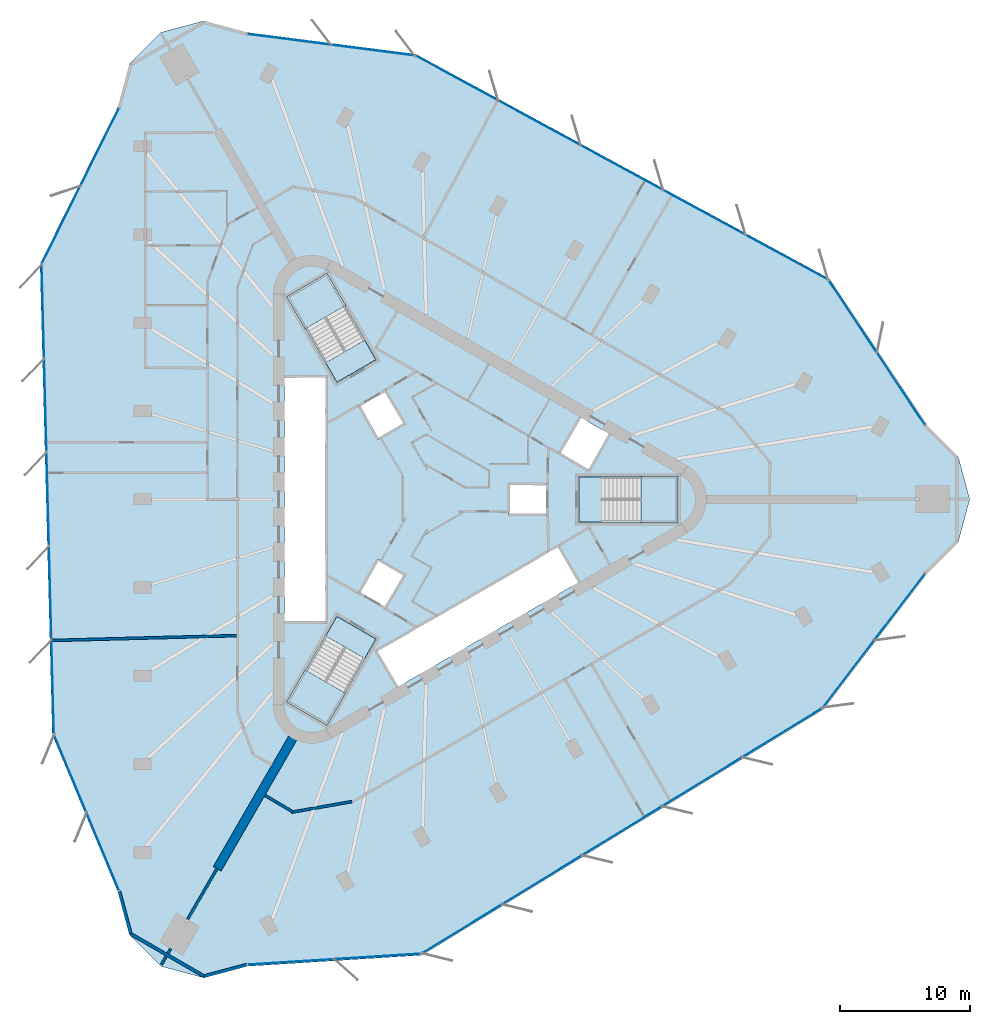
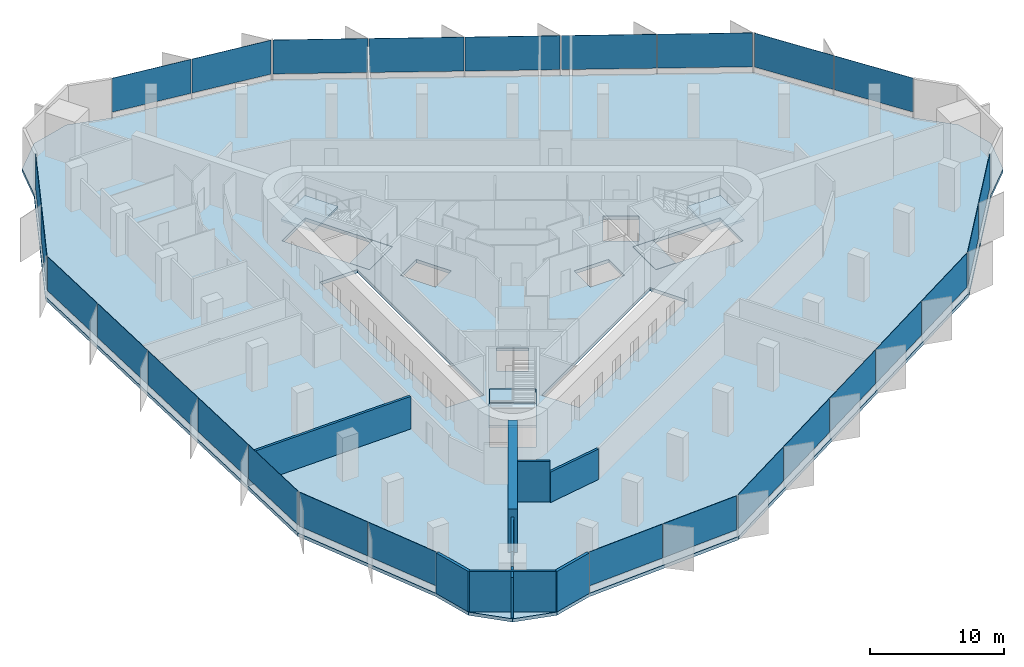
# One storey, part 7 of 14: 27 plates, 10 walls, 7 slabs, 12 elements without a shape of their own.
"""IFC4 building model written with IfcOpenShell, lengths in metres."""

from ifc_helpers import new_model, si_unit, direction, frame, frame_2d, origin, origin_2d, place, context, subcontext, project, spatial, polyline, rectangle, outline, extrude, material, layer, layer_set, type_object, element, aggregate, save


model = new_model("IFC4")

# Units and contexts
model_context = context("Model", 3, precision=1e-05, world=origin(), true_north=direction((0.0, 1.0)))
body_context = subcontext(model_context, "Body", "Model", "MODEL_VIEW")
ifc_project = project(units=[si_unit("LENGTHUNIT", "METRE"), si_unit("AREAUNIT", "SQUARE_METRE"), si_unit("VOLUMEUNIT", "CUBIC_METRE"), si_unit("PLANEANGLEUNIT", "RADIAN"), si_unit("MASSUNIT", "GRAM", prefix="KILO")], contexts=[model_context])

# Site, building, storey
site_placement = place(None, origin())
site = spatial("IfcSite", under=ifc_project, at=site_placement, CompositionType="ELEMENT")
building_placement = place(site_placement, origin())
building = spatial("IfcBuilding", under=site, at=building_placement, Name="Tanit Gate Tower", CompositionType="ELEMENT")
storey_placement = place(building_placement, frame((0.0, 0.0, 217.199951171875)))
storey = spatial("IfcBuildingStorey", under=building, at=storey_placement, Name="L48", CompositionType="ELEMENT", Elevation=217.199951171875)

# Slab
ifc_material_1 = material(Name="Concrete C35/45", Category="concrete")
ifc_layer_1 = layer(ifc_material_1, 0.300048828125)
ifc_layer_set_1 = layer_set([ifc_layer_1], Name="FLOOR SLAB 300 C35/45")
slab_type_1 = type_object("IfcSlabType", Name="FLOOR SLAB 300 C35/45", PredefinedType="FLOOR", material=ifc_layer_set_1)
slab_1_placement = place(storey_placement, frame((0.0, 0.0, -0.300048828125)))
element("IfcSlab", 1, at=slab_1_placement, inside=storey, type_object=slab_type_1, Name="FLOOR SLAB L48", PredefinedType="FLOOR", context=body_context, shape_type="SweptSolid", body=[
    extrude(outline(polyline([(38.059814453125, 5.72509765625), (40.4794921875, 3.305419921875), (41.365234375, 0.0), (40.4794921875, -3.305419921875), (38.059814453125, -5.72509765625), (30.148193359375, -16.10009765625), (-0.66015625, -34.974609375), (-14.07177734375, -35.823486328125), (-17.377197265625, -36.708984375), (-20.6826171875, -35.823486328125), (-23.102294921875, -33.40380859375), (-23.988037109375, -30.098388671875), (-29.017333984375, -18.05908203125), (-29.958984375, 18.05908203125), (-23.988037109375, 30.098388671875), (-23.102294921875, 33.40380859375), (-20.6826171875, 35.823486328125), (-17.377197265625, 36.708984375), (-14.07177734375, 35.823486328125), (-1.130859375, 34.1591796875), (30.618896484375, 16.915771484375), (38.059814453125, 5.72509765625)]), holes=[polyline([(11.3701171875, 1.72998046875), (18.929931640625, 1.72998046875), (18.929931640625, -1.72998046875), (11.3701171875, -1.72998046875), (11.3701171875, 1.72998046875)]), polyline([(9.82080078125, 3.510009765625), (11.44580078125, 6.324462890625), (13.783935546875, 4.974609375), (12.158935546875, 2.159912109375), (9.82080078125, 3.510009765625)]), polyline([(-4.208984375, -11.60986328125), (9.82080078125, -3.510009765625), (11.44580078125, -6.324462890625), (-2.583984375, -14.424560546875), (-4.208984375, -11.60986328125)]), polyline([(6.0, 1.199951171875), (9.0, 1.199951171875), (9.0, -1.199951171875), (6.0, -1.199951171875), (6.0, 1.199951171875)]), polyline([(-5.539306640625, 7.194091796875), (-3.460693359375, 8.394287109375), (-1.960693359375, 5.796142578125), (-4.039306640625, 4.59619140625), (-5.539306640625, 7.194091796875)]), polyline([(-1.960693359375, -5.796142578125), (-3.460693359375, -8.394287109375), (-5.539306640625, -7.194091796875), (-4.039306640625, -4.59619140625), (-1.960693359375, -5.796142578125)]), polyline([(-10.963134765625, 15.52880859375), (-7.966796875, 17.2587890625), (-4.186767578125, 10.711669921875), (-7.18310546875, 8.981689453125), (-10.963134765625, 15.52880859375)]), polyline([(-4.186767578125, -10.711669921875), (-7.966796875, -17.2587890625), (-10.963134765625, -15.52880859375), (-7.18310546875, -8.981689453125), (-4.186767578125, -10.711669921875)]), polyline([(-11.199951171875, -9.449951171875), (-11.199951171875, 9.449951171875), (-7.949951171875, 9.449951171875), (-7.949951171875, -9.449951171875), (-11.199951171875, -9.449951171875)])]), origin(), (0.0, 0.0, 1.0), 0.300048828125),
])

# Curtain wall, plates
ifc_material_2 = material(Name="Aluminium bronze anodised and glass", Category="aluminium")
curtain_wall_type = type_object("IfcCurtainWallType", Name="Curtain wall typical mid", PredefinedType="NOTDEFINED", material=ifc_material_2)
curtain_wall_1_placement = place(storey_placement, origin())
curtain_wall_1 = element("IfcCurtainWall", 2, at=curtain_wall_1_placement, inside=storey, type_object=curtain_wall_type, Name="Curtain wall L48 NE1", PredefinedType="NOTDEFINED")
ifc_material_3 = material(Name="Glass tinted", Category="glass")
ifc_layer_2 = layer(ifc_material_3, 0.030029296875)
ifc_layer_set_2 = layer_set([ifc_layer_2], Name="Glass panel 30 typical mid")
plate_type = type_object("IfcPlateType", Name="Glass panel 30 typical mid", PredefinedType="CURTAIN_PANEL", material=ifc_layer_set_2)
plate_1_placement = place(storey_placement, frame((36.09765625, 8.459228515625, 0.60009765625), z_axis=(0.0, 0.0, 1.0), x_axis=(-0.553699143506, 0.832716793682, 0.0)))
plate_1 = element("IfcPlate", 3, at=plate_1_placement, type_object=plate_type, Name="Glass panel L48 NE1.1", PredefinedType="CURTAIN_PANEL", context=body_context, shape_type="SweptSolid", body=[
    extrude(rectangle(XDim=6.59033203125, YDim=0.030029296875, at=origin_2d()), origin(), (0.0, 0.0, 1.0), 3.10009765625),
])
plate_2_placement = place(storey_placement, frame((32.404296875, 14.013916015625, 0.60009765625), z_axis=(0.0, 0.0, 1.0), x_axis=(-0.553699143506, 0.832716793682, 0.0)))
plate_2 = element("IfcPlate", 4, at=plate_2_placement, type_object=plate_type, Name="Glass panel L48 NE1.2", PredefinedType="CURTAIN_PANEL", context=body_context, shape_type="SweptSolid", body=[
    extrude(rectangle(XDim=6.59033203125, YDim=0.030029296875, at=origin_2d()), origin(), (0.0, 0.0, 1.0), 3.10009765625),
])
aggregate(curtain_wall_1, [plate_1, plate_2])

curtain_wall_2_placement = place(storey_placement, origin())
curtain_wall_2 = element("IfcCurtainWall", 5, at=curtain_wall_2_placement, inside=storey, type_object=curtain_wall_type, Name="Curtain wall L48 NE2", PredefinedType="NOTDEFINED")
plate_3_placement = place(storey_placement, frame((27.3369140625, 18.5615234375, 0.60009765625), z_axis=(0.0, 0.0, 1.0), x_axis=(-0.878762487631, 0.477259353321, 0.0)))
plate_3 = element("IfcPlate", 6, at=plate_3_placement, type_object=plate_type, Name="Glass panel L48 NE2.1", PredefinedType="CURTAIN_PANEL", context=body_context, shape_type="SweptSolid", body=[
    extrude(rectangle(XDim=7.11962890625, YDim=0.030029296875, at=origin_2d()), origin(), (0.0, 0.0, 1.0), 3.10009765625),
])
plate_4_placement = place(storey_placement, frame((21.01025390625, 21.99755859375, 0.60009765625), z_axis=(0.0, 0.0, 1.0), x_axis=(-0.878762487631, 0.477259353321, 0.0)))
plate_4 = element("IfcPlate", 7, at=plate_4_placement, type_object=plate_type, Name="Glass panel L48 NE2.2", PredefinedType="CURTAIN_PANEL", context=body_context, shape_type="SweptSolid", body=[
    extrude(rectangle(XDim=7.11962890625, YDim=0.030029296875, at=origin_2d()), origin(), (0.0, 0.0, 1.0), 3.10009765625),
])
plate_5_placement = place(storey_placement, frame((14.68359375, 25.433837890625, 0.60009765625), z_axis=(0.0, 0.0, 1.0), x_axis=(-0.878762487631, 0.477259353321, 0.0)))
plate_5 = element("IfcPlate", 8, at=plate_5_placement, type_object=plate_type, Name="Glass panel L48 NE2.3", PredefinedType="CURTAIN_PANEL", context=body_context, shape_type="SweptSolid", body=[
    extrude(rectangle(XDim=7.11962890625, YDim=0.030029296875, at=origin_2d()), origin(), (0.0, 0.0, 1.0), 3.10009765625),
])
plate_6_placement = place(storey_placement, frame((8.356689453125, 28.869873046875, 0.60009765625), z_axis=(0.0, 0.0, 1.0), x_axis=(-0.878762487631, 0.477259353321, 0.0)))
plate_6 = element("IfcPlate", 9, at=plate_6_placement, type_object=plate_type, Name="Glass panel L48 NE2.4", PredefinedType="CURTAIN_PANEL", context=body_context, shape_type="SweptSolid", body=[
    extrude(rectangle(XDim=7.11962890625, YDim=0.030029296875, at=origin_2d()), origin(), (0.0, 0.0, 1.0), 3.10009765625),
])
plate_7_placement = place(storey_placement, frame((2.030029296875, 32.305908203125, 0.60009765625), z_axis=(0.0, 0.0, 1.0), x_axis=(-0.878762487631, 0.477259353321, 0.0)))
plate_7 = element("IfcPlate", 10, at=plate_7_placement, type_object=plate_type, Name="Glass panel L48 NE2.5", PredefinedType="CURTAIN_PANEL", context=body_context, shape_type="SweptSolid", body=[
    extrude(rectangle(XDim=7.11962890625, YDim=0.030029296875, at=origin_2d()), origin(), (0.0, 0.0, 1.0), 3.10009765625),
])
aggregate(curtain_wall_2, [plate_3, plate_4, plate_5, plate_6, plate_7])

curtain_wall_3_placement = place(storey_placement, origin())
curtain_wall_3 = element("IfcCurtainWall", 11, at=curtain_wall_3_placement, inside=storey, type_object=curtain_wall_type, Name="Curtain wall L48 NE3", PredefinedType="NOTDEFINED")
plate_8_placement = place(storey_placement, frame((-4.419921875, 34.461181640625, 0.60009765625), z_axis=(0.0, 0.0, 1.0), x_axis=(-0.991831679282, 0.127553596472, 0.0)))
plate_8 = element("IfcPlate", 12, at=plate_8_placement, type_object=plate_type, Name="Glass panel L48 NE3.1", PredefinedType="CURTAIN_PANEL", context=body_context, shape_type="SweptSolid", body=[
    extrude(rectangle(XDim=6.396484375, YDim=0.030029296875, at=origin_2d()), origin(), (0.0, 0.0, 1.0), 3.10009765625),
])
plate_9_placement = place(storey_placement, frame((-10.843505859375, 35.287353515625, 0.60009765625), z_axis=(0.0, 0.0, 1.0), x_axis=(-0.991831679282, 0.127553596472, 0.0)))
plate_9 = element("IfcPlate", 13, at=plate_9_placement, type_object=plate_type, Name="Glass panel L48 NE3.2", PredefinedType="CURTAIN_PANEL", context=body_context, shape_type="SweptSolid", body=[
    extrude(rectangle(XDim=6.396484375, YDim=0.030029296875, at=origin_2d()), origin(), (0.0, 0.0, 1.0), 3.10009765625),
])
aggregate(curtain_wall_3, [plate_8, plate_9])

curtain_wall_4_placement = place(storey_placement, origin())
curtain_wall_4 = element("IfcCurtainWall", 14, at=curtain_wall_4_placement, inside=storey, type_object=curtain_wall_type, Name="Curtain wall L48 W1", PredefinedType="NOTDEFINED")
plate_10_placement = place(storey_placement, frame((-25.375, 27.031982421875, 0.60009765625), z_axis=(0.0, 0.0, 1.0), x_axis=(-0.444304325734, -0.895875921171, 0.0)))
plate_10 = element("IfcPlate", 15, at=plate_10_placement, type_object=plate_type, Name="Glass panel L48 W1.1", PredefinedType="CURTAIN_PANEL", context=body_context, shape_type="SweptSolid", body=[
    extrude(rectangle(XDim=6.59033203125, YDim=0.030029296875, at=origin_2d()), origin(), (0.0, 0.0, 1.0), 3.10009765625),
])
plate_11_placement = place(storey_placement, frame((-28.338623046875, 21.05615234375, 0.60009765625), z_axis=(0.0, 0.0, 1.0), x_axis=(-0.444304325734, -0.895875921171, 0.0)))
plate_11 = element("IfcPlate", 16, at=plate_11_placement, type_object=plate_type, Name="Glass panel L48 W1.2", PredefinedType="CURTAIN_PANEL", context=body_context, shape_type="SweptSolid", body=[
    extrude(rectangle(XDim=6.59033203125, YDim=0.030029296875, at=origin_2d()), origin(), (0.0, 0.0, 1.0), 3.10009765625),
])
aggregate(curtain_wall_4, [plate_10, plate_11])

curtain_wall_5_placement = place(storey_placement, origin())
curtain_wall_5 = element("IfcCurtainWall", 17, at=curtain_wall_5_placement, inside=storey, type_object=curtain_wall_type, Name="Curtain wall L48 W2", PredefinedType="NOTDEFINED")
plate_12_placement = place(storey_placement, frame((-29.743408203125, 14.393798828125, 0.60009765625), z_axis=(0.0, 0.0, 1.0), x_axis=(0.026062519646, -0.999660314842, 0.0)))
plate_12 = element("IfcPlate", 18, at=plate_12_placement, type_object=plate_type, Name="Glass panel L48 W2.1", PredefinedType="CURTAIN_PANEL", context=body_context, shape_type="SweptSolid", body=[
    extrude(rectangle(XDim=7.11962890625, YDim=0.030029296875, at=origin_2d()), origin(), (0.0, 0.0, 1.0), 3.10009765625),
])
plate_13_placement = place(storey_placement, frame((-29.5556640625, 7.196533203125, 0.60009765625), z_axis=(0.0, 0.0, 1.0), x_axis=(0.026062519646, -0.999660314842, 0.0)))
plate_13 = element("IfcPlate", 19, at=plate_13_placement, type_object=plate_type, Name="Glass panel L48 W2.2", PredefinedType="CURTAIN_PANEL", context=body_context, shape_type="SweptSolid", body=[
    extrude(rectangle(XDim=7.11962890625, YDim=0.030029296875, at=origin_2d()), origin(), (0.0, 0.0, 1.0), 3.10009765625),
])
plate_14_placement = place(storey_placement, frame((-29.367919921875, -0.00048828125, 0.60009765625), z_axis=(0.0, 0.0, 1.0), x_axis=(0.026062519646, -0.999660314842, 0.0)))
plate_14 = element("IfcPlate", 20, at=plate_14_placement, type_object=plate_type, Name="Glass panel L48 W2.3", PredefinedType="CURTAIN_PANEL", context=body_context, shape_type="SweptSolid", body=[
    extrude(rectangle(XDim=7.11962890625, YDim=0.030029296875, at=origin_2d()), origin(), (0.0, 0.0, 1.0), 3.10009765625),
])
plate_15_placement = place(storey_placement, frame((-29.180419921875, -7.19775390625, 0.60009765625), z_axis=(0.0, 0.0, 1.0), x_axis=(0.026062519646, -0.999660314842, 0.0)))
plate_15 = element("IfcPlate", 21, at=plate_15_placement, type_object=plate_type, Name="Glass panel L48 W2.4", PredefinedType="CURTAIN_PANEL", context=body_context, shape_type="SweptSolid", body=[
    extrude(rectangle(XDim=7.11962890625, YDim=0.030029296875, at=origin_2d()), origin(), (0.0, 0.0, 1.0), 3.10009765625),
])
plate_16_placement = place(storey_placement, frame((-28.99267578125, -14.394775390625, 0.60009765625), z_axis=(0.0, 0.0, 1.0), x_axis=(0.026062519646, -0.999660314842, 0.0)))
plate_16 = element("IfcPlate", 22, at=plate_16_placement, type_object=plate_type, Name="Glass panel L48 W2.5", PredefinedType="CURTAIN_PANEL", context=body_context, shape_type="SweptSolid", body=[
    extrude(rectangle(XDim=7.11962890625, YDim=0.030029296875, at=origin_2d()), origin(), (0.0, 0.0, 1.0), 3.10009765625),
])
aggregate(curtain_wall_5, [plate_12, plate_13, plate_14, plate_15, plate_16])

curtain_wall_6_placement = place(storey_placement, origin())
curtain_wall_6 = element("IfcCurtainWall", 23, at=curtain_wall_6_placement, inside=storey, type_object=curtain_wall_type, Name="Curtain wall L48 W3", PredefinedType="NOTDEFINED")
plate_17_placement = place(storey_placement, frame((-27.63427734375, -21.058349609375, 0.60009765625), z_axis=(0.0, 0.0, 1.0), x_axis=(0.385451184752, -0.922728228772, 0.0)))
plate_17 = element("IfcPlate", 24, at=plate_17_placement, type_object=plate_type, Name="Glass panel L48 W3.1", PredefinedType="CURTAIN_PANEL", context=body_context, shape_type="SweptSolid", body=[
    extrude(rectangle(XDim=6.396484375, YDim=0.030029296875, at=origin_2d()), origin(), (0.0, 0.0, 1.0), 3.10009765625),
])
plate_18_placement = place(storey_placement, frame((-25.137939453125, -27.034423828125, 0.60009765625), z_axis=(0.0, 0.0, 1.0), x_axis=(0.385451184752, -0.922728228772, 0.0)))
plate_18 = element("IfcPlate", 25, at=plate_18_placement, type_object=plate_type, Name="Glass panel L48 W3.2", PredefinedType="CURTAIN_PANEL", context=body_context, shape_type="SweptSolid", body=[
    extrude(rectangle(XDim=6.396484375, YDim=0.030029296875, at=origin_2d()), origin(), (0.0, 0.0, 1.0), 3.10009765625),
])
aggregate(curtain_wall_6, [plate_17, plate_18])

curtain_wall_7_placement = place(storey_placement, origin())
curtain_wall_7 = element("IfcCurtainWall", 26, at=curtain_wall_7_placement, inside=storey, type_object=curtain_wall_type, Name="Curtain wall L48 SE1", PredefinedType="NOTDEFINED")
plate_19_placement = place(storey_placement, frame((-10.722900390625, -35.4912109375, 0.60009765625), z_axis=(0.0, 0.0, 1.0), x_axis=(0.99800346924, 0.063159127489, 0.0)))
plate_19 = element("IfcPlate", 27, at=plate_19_placement, type_object=plate_type, Name="Glass panel L48 SE1.1", PredefinedType="CURTAIN_PANEL", context=body_context, shape_type="SweptSolid", body=[
    extrude(rectangle(XDim=6.59033203125, YDim=0.030029296875, at=origin_2d()), origin(), (0.0, 0.0, 1.0), 3.10009765625),
])
plate_20_placement = place(storey_placement, frame((-4.065673828125, -35.06982421875, 0.60009765625), z_axis=(0.0, 0.0, 1.0), x_axis=(0.99800346924, 0.063159127489, 0.0)))
plate_20 = element("IfcPlate", 28, at=plate_20_placement, type_object=plate_type, Name="Glass panel L48 SE1.2", PredefinedType="CURTAIN_PANEL", context=body_context, shape_type="SweptSolid", body=[
    extrude(rectangle(XDim=6.59033203125, YDim=0.030029296875, at=origin_2d()), origin(), (0.0, 0.0, 1.0), 3.10009765625),
])
aggregate(curtain_wall_7, [plate_19, plate_20])

curtain_wall_8_placement = place(storey_placement, origin())
curtain_wall_8 = element("IfcCurtainWall", 29, at=curtain_wall_8_placement, inside=storey, type_object=curtain_wall_type, Name="Curtain wall L48 SE2", PredefinedType="NOTDEFINED")
plate_21_placement = place(storey_placement, frame((2.40625, -32.955322265625, 0.60009765625), z_axis=(0.0, 0.0, 1.0), x_axis=(0.852699967985, 0.522400961521, 0.0)))
plate_21 = element("IfcPlate", 30, at=plate_21_placement, type_object=plate_type, Name="Glass panel L48 SE2.1", PredefinedType="CURTAIN_PANEL", context=body_context, shape_type="SweptSolid", body=[
    extrude(rectangle(XDim=7.11962890625, YDim=0.030029296875, at=origin_2d()), origin(), (0.0, 0.0, 1.0), 3.10009765625),
])
plate_22_placement = place(storey_placement, frame((8.54541015625, -29.1943359375, 0.60009765625), z_axis=(0.0, 0.0, 1.0), x_axis=(0.852699967985, 0.522400961521, 0.0)))
plate_22 = element("IfcPlate", 31, at=plate_22_placement, type_object=plate_type, Name="Glass panel L48 SE2.2", PredefinedType="CURTAIN_PANEL", context=body_context, shape_type="SweptSolid", body=[
    extrude(rectangle(XDim=7.11962890625, YDim=0.030029296875, at=origin_2d()), origin(), (0.0, 0.0, 1.0), 3.10009765625),
])
plate_23_placement = place(storey_placement, frame((14.6845703125, -25.43310546875, 0.60009765625), z_axis=(0.0, 0.0, 1.0), x_axis=(0.852699967985, 0.522400961521, 0.0)))
plate_23 = element("IfcPlate", 32, at=plate_23_placement, type_object=plate_type, Name="Glass panel L48 SE2.3", PredefinedType="CURTAIN_PANEL", context=body_context, shape_type="SweptSolid", body=[
    extrude(rectangle(XDim=7.11962890625, YDim=0.030029296875, at=origin_2d()), origin(), (0.0, 0.0, 1.0), 3.10009765625),
])
plate_24_placement = place(storey_placement, frame((20.823486328125, -21.672119140625, 0.60009765625), z_axis=(0.0, 0.0, 1.0), x_axis=(0.852699967985, 0.522400961521, 0.0)))
plate_24 = element("IfcPlate", 33, at=plate_24_placement, type_object=plate_type, Name="Glass panel L48 SE2.4", PredefinedType="CURTAIN_PANEL", context=body_context, shape_type="SweptSolid", body=[
    extrude(rectangle(XDim=7.11962890625, YDim=0.030029296875, at=origin_2d()), origin(), (0.0, 0.0, 1.0), 3.10009765625),
])
plate_25_placement = place(storey_placement, frame((26.962646484375, -17.9111328125, 0.60009765625), z_axis=(0.0, 0.0, 1.0), x_axis=(0.852699967985, 0.522400961521, 0.0)))
plate_25 = element("IfcPlate", 34, at=plate_25_placement, type_object=plate_type, Name="Glass panel L48 SE2.5", PredefinedType="CURTAIN_PANEL", context=body_context, shape_type="SweptSolid", body=[
    extrude(rectangle(XDim=7.11962890625, YDim=0.030029296875, at=origin_2d()), origin(), (0.0, 0.0, 1.0), 3.10009765625),
])
aggregate(curtain_wall_8, [plate_21, plate_22, plate_23, plate_24, plate_25])

curtain_wall_9_placement = place(storey_placement, origin())
curtain_wall_9 = element("IfcCurtainWall", 35, at=curtain_wall_9_placement, inside=storey, type_object=curtain_wall_type, Name="Curtain wall L48 SE3", PredefinedType="NOTDEFINED")
plate_26_placement = place(storey_placement, frame((32.05419921875, -13.40283203125, 0.60009765625), z_axis=(0.0, 0.0, 1.0), x_axis=(0.60638049453, 0.7951746323, 0.0)))
plate_26 = element("IfcPlate", 36, at=plate_26_placement, type_object=plate_type, Name="Glass panel L48 SE3.1", PredefinedType="CURTAIN_PANEL", context=body_context, shape_type="SweptSolid", body=[
    extrude(rectangle(XDim=6.396484375, YDim=0.030029296875, at=origin_2d()), origin(), (0.0, 0.0, 1.0), 3.10009765625),
])
plate_27_placement = place(storey_placement, frame((35.9814453125, -8.252685546875, 0.60009765625), z_axis=(0.0, 0.0, 1.0), x_axis=(0.60638049453, 0.7951746323, 0.0)))
plate_27 = element("IfcPlate", 37, at=plate_27_placement, type_object=plate_type, Name="Glass panel L48 SE3.2", PredefinedType="CURTAIN_PANEL", context=body_context, shape_type="SweptSolid", body=[
    extrude(rectangle(XDim=6.396484375, YDim=0.030029296875, at=origin_2d()), origin(), (0.0, 0.0, 1.0), 3.10009765625),
])
aggregate(curtain_wall_9, [plate_26, plate_27])

# Stair, slab
ifc_material_4 = material(Name="Concrete C40/50", Category="concrete")
stair_type = type_object("IfcStairType", Name="INT-STAIR-EXIT", PredefinedType="HALF_TURN_STAIR", material=ifc_material_4)
stair_1_placement = place(storey_placement, origin())
stair_1 = element("IfcStair", 38, at=stair_1_placement, inside=storey, type_object=stair_type, Name="L48 STAIR S1", PredefinedType="HALF_TURN_STAIR")
ifc_material_5 = material(Name="Concrete C40/50", Category="concrete")
ifc_layer_3 = layer(ifc_material_5, 0.199951171875)
ifc_layer_set_3 = layer_set([ifc_layer_3], Name="INT-STAIR-LANDING")
slab_type_2 = type_object("IfcSlabType", Name="INT-STAIR-LANDING", PredefinedType="LANDING", material=ifc_layer_set_3)
slab_2_placement = place(storey_placement, frame((0.0, 0.0, 1.800048828125)))
slab_2 = element("IfcSlab", 39, at=slab_2_placement, type_object=slab_type_2, Name="S1 landing 1", PredefinedType="LANDING", context=body_context, shape_type="SweptSolid", body=[
    extrude(outline(polyline([(16.135986328125, -1.800048828125), (19.0, -1.800048828125), (19.0, 1.800048828125), (16.135986328125, 1.800048828125), (16.135986328125, -1.800048828125)])), origin(), (0.0, 0.0, 1.0), 0.199951171875),
])
aggregate(stair_1, [slab_2])

# Slab
slab_3_placement = place(storey_placement, frame((0.0, 0.0, -0.199951171875)))
element("IfcSlab", 40, at=slab_3_placement, inside=storey, type_object=slab_type_2, Name="S1 floor landing", PredefinedType="LANDING", context=body_context, shape_type="SweptSolid", body=[
    extrude(outline(polyline([(11.3798828125, -1.719970703125), (13.10498046875, -1.719970703125), (13.10498046875, 1.719970703125), (11.3798828125, 1.719970703125), (11.3798828125, -1.719970703125)])), origin(), (0.0, 0.0, 1.0), 0.199951171875),
])

# Stair, slab
stair_2_placement = place(storey_placement, origin())
stair_2 = element("IfcStair", 41, at=stair_2_placement, inside=storey, type_object=stair_type, Name="L48 STAIR S2", PredefinedType="HALF_TURN_STAIR")
slab_4_placement = place(storey_placement, frame((0.0, 0.0, 1.800048828125)))
slab_4 = element("IfcSlab", 42, at=slab_4_placement, type_object=slab_type_2, Name="S2 landing 1", PredefinedType="LANDING", context=body_context, shape_type="SweptSolid", body=[
    extrude(outline(polyline([(-6.5078125, 14.871826171875), (-7.941162109375, 17.3544921875), (-11.058837890625, 15.554443359375), (-9.62548828125, 13.07177734375), (-6.5078125, 14.871826171875)])), origin(), (0.0, 0.0, 1.0), 0.199951171875),
])
aggregate(stair_2, [slab_4])

# Slab
slab_5_placement = place(storey_placement, frame((0.0, 0.0, -0.199951171875)))
element("IfcSlab", 43, at=slab_5_placement, inside=storey, type_object=slab_type_2, Name="S2 floor landing", PredefinedType="LANDING", context=body_context, shape_type="SweptSolid", body=[
    extrude(outline(polyline([(-4.200439453125, 10.71533203125), (-5.0625, 12.20849609375), (-8.04150390625, 10.48828125), (-7.179443359375, 8.995361328125), (-4.200439453125, 10.71533203125)])), origin(), (0.0, 0.0, 1.0), 0.199951171875),
])

# Stair, slab
stair_3_placement = place(storey_placement, origin())
stair_3 = element("IfcStair", 44, at=stair_3_placement, inside=storey, type_object=stair_type, Name="L48 STAIR S3", PredefinedType="HALF_TURN_STAIR")
slab_6_placement = place(storey_placement, frame((0.0, 0.0, 1.800048828125)))
slab_6 = element("IfcSlab", 45, at=slab_6_placement, type_object=slab_type_2, Name="S3 landing 1", PredefinedType="LANDING", context=body_context, shape_type="SweptSolid", body=[
    extrude(outline(polyline([(-9.626953125, -13.07421875), (-11.058837890625, -15.554443359375), (-7.941162109375, -17.3544921875), (-6.509033203125, -14.874267578125), (-9.626953125, -13.07421875)])), origin(), (0.0, 0.0, 1.0), 0.199951171875),
])
aggregate(stair_3, [slab_6])

# Slab
slab_7_placement = place(storey_placement, frame((0.0, 0.0, -0.199951171875)))
element("IfcSlab", 46, at=slab_7_placement, inside=storey, type_object=slab_type_2, Name="S3 floor landing", PredefinedType="LANDING", context=body_context, shape_type="SweptSolid", body=[
    extrude(outline(polyline([(-7.179443359375, -8.995361328125), (-8.0419921875, -10.4892578125), (-5.06298828125, -12.209228515625), (-4.200439453125, -10.71533203125), (-7.179443359375, -8.995361328125)])), origin(), (0.0, 0.0, 1.0), 0.199951171875),
])

# Walls
ifc_material_6 = material(Name="Concrete C50/60", Category="concrete")
ifc_layer_4 = layer(ifc_material_6, 0.699951171875)
ifc_layer_set_4 = layer_set([ifc_layer_4], Name="BUTTRESS FIN 700 C50/60")
wall_type_1 = type_object("IfcWallType", Name="BUTTRESS FIN 700 C50/60", PredefinedType="SHEAR", material=ifc_layer_set_4)
wall_1_placement = place(storey_placement, frame((-10.574951171875, -18.31640625, 0.0), z_axis=(0.0, 0.0, 1.0), x_axis=(-0.499998001389, -0.86602655768, 0.0)))
element("IfcWall", 47, at=wall_1_placement, inside=storey, type_object=wall_type_1, Name="BUTTRESS FIN", PredefinedType="SHEAR", context=body_context, shape_type="SweptSolid", body=[
    extrude(rectangle(XDim=11.5810546875, YDim=0.699951171875, at=frame_2d((5.79052734375, 0.0))), origin(), (0.0, 0.0, 1.0), 4.0),
])
ifc_material_7 = material(Name="Concrete C30/37 with bronze anodised aluminium cladding", Category="concrete")
ifc_layer_5 = layer(ifc_material_7, 0.239990234375)
ifc_layer_set_5 = layer_set([ifc_layer_5], Name="Facade wall bronze clad 240")
wall_type_2 = type_object("IfcWallType", Name="Facade wall bronze clad 240", PredefinedType="SOLIDWALL", material=ifc_layer_set_5)
wall_2_placement = place(storey_placement, frame((-23.874267578125, -30.059326171875, 0.0), z_axis=(0.0, 0.0, 1.0), x_axis=(0.258798334869, -0.965931375341, 0.0)))
element("IfcWall", 48, at=wall_2_placement, inside=storey, type_object=wall_type_2, Name="Bronze-clad facade wall L48 SW.arc1", PredefinedType="SOLIDWALL", context=body_context, shape_type="SweptSolid", body=[
    extrude(rectangle(XDim=3.39794921875, YDim=0.239990234375, at=frame_2d((1.698974609375, 0.0))), origin(), (0.0, 0.0, 1.0), 3.699951171875),
])
wall_3_placement = place(storey_placement, frame((-22.994873046875, -33.341552734375, 0.0), z_axis=(0.0, 0.0, 1.0), x_axis=(0.866022628259, -0.50000480732, 0.0)))
element("IfcWall", 49, at=wall_3_placement, inside=storey, type_object=wall_type_2, Name="Bronze-clad facade wall L48 SW.arc2", PredefinedType="SOLIDWALL", context=body_context, shape_type="SweptSolid", body=[
    extrude(rectangle(XDim=6.48681640625, YDim=0.239990234375, at=frame_2d((3.243408203125, 0.0))), origin(), (0.0, 0.0, 1.0), 3.699951171875),
])
wall_4_placement = place(storey_placement, frame((-17.377197265625, -36.5849609375, 0.0), z_axis=(0.0, 0.0, 1.0), x_axis=(0.96591377161, 0.258864029586, 0.0)))
element("IfcWall", 50, at=wall_4_placement, inside=storey, type_object=wall_type_2, Name="Bronze-clad facade wall L48 SW.arc3", PredefinedType="SOLIDWALL", context=body_context, shape_type="SweptSolid", body=[
    extrude(rectangle(XDim=3.40185546875, YDim=0.239990234375, at=frame_2d((1.700927734375, 0.0))), origin(), (0.0, 0.0, 1.0), 3.699951171875),
])
ifc_material_8 = material(Name="Fire-rated gypsum board partition")
ifc_layer_6 = layer(ifc_material_8, 0.199951171875)
ifc_layer_set_6 = layer_set([ifc_layer_6], Name="INT-WALL-COMPARTMENT")
wall_type_3 = type_object("IfcWallType", Name="INT-WALL-COMPARTMENT", PredefinedType="PARTITIONING", material=ifc_layer_set_6)
wall_5_placement = place(storey_placement, frame((-10.664794921875, -24.0048828125, 0.0), z_axis=(0.0, 0.0, 1.0), x_axis=(0.984806532296, 0.173655100553, 0.0)))
element("IfcWall", 51, at=wall_5_placement, inside=storey, type_object=wall_type_3, Name="Wall Compartment W114", PredefinedType="PARTITIONING", context=body_context, shape_type="SweptSolid", body=[
    extrude(rectangle(XDim=4.70556640625, YDim=0.199951171875, at=frame_2d((2.352783203125, 0.0))), origin(), (0.0, 0.0, 1.0), 2.780029296875),
])
wall_6_placement = place(storey_placement, frame((-12.706787109375, -22.708984375, 0.0), z_axis=(0.0, 0.0, 1.0), x_axis=(0.860754387085, -0.509020515415, 0.0)))
element("IfcWall", 52, at=wall_6_placement, inside=storey, type_object=wall_type_3, Name="Wall Compartment W115", PredefinedType="PARTITIONING", context=body_context, shape_type="SweptSolid", body=[
    extrude(rectangle(XDim=2.45703125, YDim=0.199951171875, at=frame_2d((1.228515625, 0.0))), origin(), (0.0, 0.0, 1.0), 3.699951171875),
])
wall_7_placement = place(storey_placement, frame((-14.89990234375, -10.456298828125, 0.0), z_axis=(0.0, 0.0, 1.0), x_axis=(-0.999660259834, -0.026064629441, 0.0)))
element("IfcWall", 53, at=wall_7_placement, inside=storey, type_object=wall_type_3, Name="Wall Compartment W118", PredefinedType="PARTITIONING", context=body_context, shape_type="SweptSolid", body=[
    extrude(rectangle(XDim=14.190673828125, YDim=0.199951171875, at=frame_2d((7.09521484375, 0.0))), origin(), (0.0, 0.0, 1.0), 2.97998046875),
])
wall_8_placement = place(storey_placement, frame((-19.93359375, -34.466064453125, 0.0), z_axis=(0.0, 0.0, 1.0), x_axis=(-0.500286910726, -0.865859692419, 0.0)))
element("IfcWall", 54, at=wall_8_placement, inside=storey, type_object=wall_type_3, Name="Wall Compartment W119", PredefinedType="PARTITIONING", context=body_context, shape_type="SweptSolid", body=[
    extrude(rectangle(XDim=0.436767578125, YDim=0.199951171875, at=frame_2d((0.21826171875, 0.0))), origin(), (0.0, 0.0, 1.0), 3.699951171875),
])
wall_9_placement = place(storey_placement, frame((-20.27197265625, -35.05224609375, 0.0), z_axis=(0.0, 0.0, 1.0), x_axis=(-0.500178781653, -0.865922159541, 0.0)))
element("IfcWall", 55, at=wall_9_placement, inside=storey, type_object=wall_type_3, Name="Wall Compartment W119x1", PredefinedType="PARTITIONING", context=body_context, shape_type="SweptSolid", body=[
    extrude(rectangle(XDim=0.740966796875, YDim=0.199951171875, at=frame_2d((0.37060546875, 0.0))), origin(), (0.0, 0.0, 1.0), 3.699951171875),
])
wall_10_placement = place(storey_placement, frame((-16.381103515625, -28.3369140625, 0.0), z_axis=(0.0, 0.0, 1.0), x_axis=(-0.502306256161, -0.864689785427, 0.0)))
element("IfcWall", 56, at=wall_10_placement, inside=storey, type_object=wall_type_3, Name="Wall Compartment W120", PredefinedType="PARTITIONING", context=body_context, shape_type="SweptSolid", body=[
    extrude(rectangle(XDim=4.484130859375, YDim=0.199951171875, at=frame_2d((2.2421875, 0.0))), origin(), (0.0, 0.0, 1.0), 3.27001953125),
])

save(model, "model.ifc")
